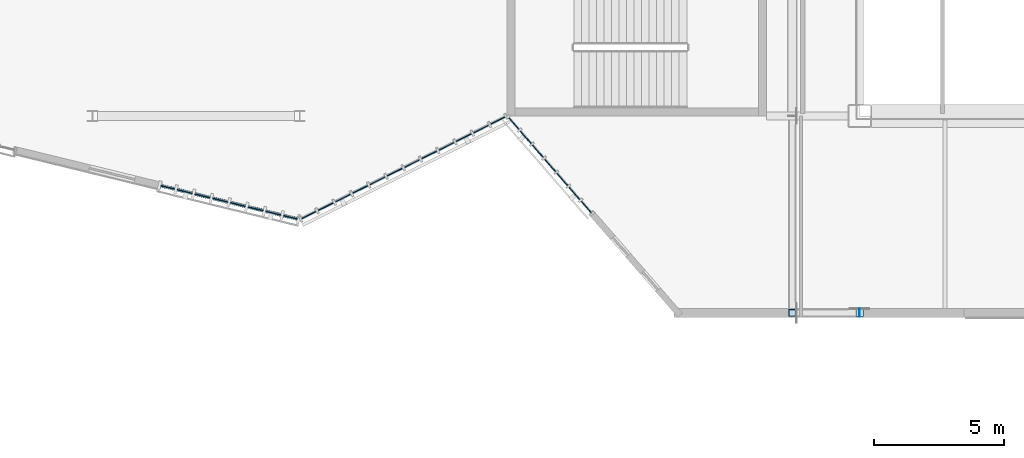
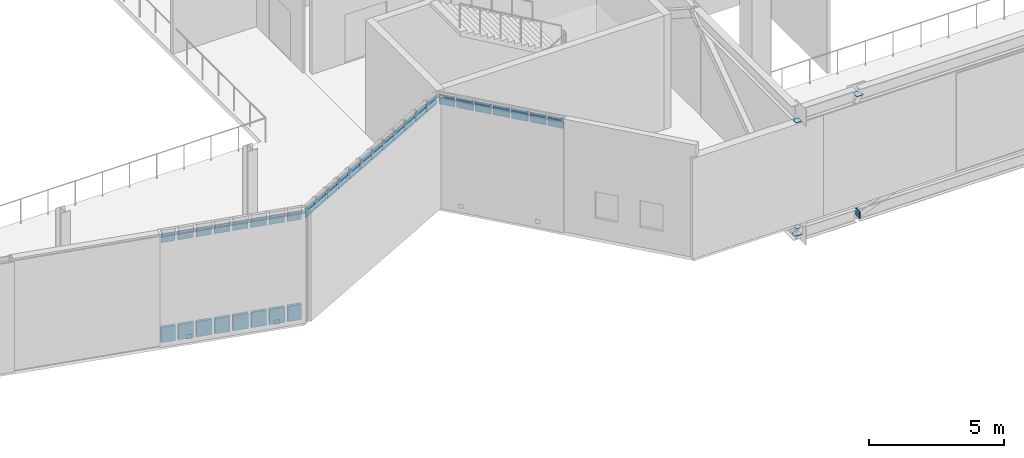
# One storey, part 90 of 127: 40 plates, 3 elements without a shape of their own.
"""IFC4 building model written with IfcOpenShell, lengths in metres."""

from ifc_helpers import new_model, si_unit, direction, frame, origin, origin_2d, place, context, subcontext, project, spatial, rectangle, extrude, material, layer, layer_set, type_object, element, aggregate, save


model = new_model("IFC4")

# Units and contexts
model_context = context("Model", 3, precision=1e-05, world=origin(), true_north=direction((0.0, 1.0)))
body_context = subcontext(model_context, "Body", "Model", "MODEL_VIEW")
ifc_project = project(units=[si_unit("LENGTHUNIT", "METRE"), si_unit("AREAUNIT", "SQUARE_METRE"), si_unit("VOLUMEUNIT", "CUBIC_METRE"), si_unit("PLANEANGLEUNIT", "RADIAN"), si_unit("MASSUNIT", "GRAM", prefix="KILO")], contexts=[model_context])

# Site, building, storey
site_placement = place(None, origin())
site = spatial("IfcSite", under=ifc_project, at=site_placement, CompositionType="ELEMENT")
building_placement = place(site_placement, origin())
building = spatial("IfcBuilding", under=site, at=building_placement, Name="Larkvane Passage Sports Hall", CompositionType="ELEMENT")
storey_placement = place(building_placement, frame((0.0, 0.0, 5.39990234375)))
storey = spatial("IfcBuildingStorey", under=building, at=storey_placement, Name="L01", CompositionType="ELEMENT", Elevation=5.39990234375)

# Curtain wall, plates
ifc_material_1 = material(Name="Thermally broken aluminium and low-E glazing", Category="aluminium")
curtain_wall_type_1 = type_object("IfcCurtainWallType", Name="CW-CLINIC", PredefinedType="USERDEFINED", material=ifc_material_1)
curtain_wall_1_placement = place(storey_placement, origin())
curtain_wall_1 = element("IfcCurtainWall", 1, at=curtain_wall_1_placement, inside=storey, type_object=curtain_wall_type_1, Name="Curtain wall CW5-L01-063", ObjectType="UNITISED CURTAIN WALL", PredefinedType="USERDEFINED")
ifc_material_2 = material(Name="Deep insulated facade spandrel panel")
ifc_layer_1 = layer(ifc_material_2, 0.125)
ifc_layer_set_1 = layer_set([ifc_layer_1], Name="Deep insulated facade spandrel panel")
plate_type_1 = type_object("IfcPlateType", Name="CWP-SPD-125", PredefinedType="CURTAIN_PANEL", material=ifc_layer_set_1)
plate_1_placement = place(storey_placement, frame((109.631591796875, 18.889892578125, 0.110107421875), z_axis=(0.0, 0.0, 1.0), x_axis=(-0.971522035097, 0.236949225196, 0.0)))
plate_1 = element("IfcPlate", 2, at=plate_1_placement, type_object=plate_type_1, Name="CW-05 panel 1.1", PredefinedType="CURTAIN_PANEL", context=body_context, shape_type="SweptSolid", body=[
    extrude(rectangle(XDim=0.538330078125, YDim=0.125, at=origin_2d()), origin(), (0.0, 0.0, 1.0), 0.68505859375),
])
plate_2_placement = place(storey_placement, frame((108.97509765625, 19.050048828125, 0.110107421875), z_axis=(0.0, 0.0, 1.0), x_axis=(-0.971522035097, 0.236949225196, 0.0)))
plate_2 = element("IfcPlate", 3, at=plate_2_placement, type_object=plate_type_1, Name="CW-05 panel 2.1", PredefinedType="CURTAIN_PANEL", context=body_context, shape_type="SweptSolid", body=[
    extrude(rectangle(XDim=0.59326171875, YDim=0.125, at=origin_2d()), origin(), (0.0, 0.0, 1.0), 0.68505859375),
])
plate_3_placement = place(storey_placement, frame((108.291748046875, 19.216552734375, 0.110107421875), z_axis=(0.0, 0.0, 1.0), x_axis=(-0.971522035097, 0.236949225196, 0.0)))
plate_3 = element("IfcPlate", 4, at=plate_3_placement, type_object=plate_type_1, Name="CW-05 panel 3.1", PredefinedType="CURTAIN_PANEL", context=body_context, shape_type="SweptSolid", body=[
    extrude(rectangle(XDim=0.59326171875, YDim=0.125, at=origin_2d()), origin(), (0.0, 0.0, 1.0), 0.68505859375),
])
plate_4_placement = place(storey_placement, frame((107.6083984375, 19.38330078125, 0.110107421875), z_axis=(0.0, 0.0, 1.0), x_axis=(-0.971522035097, 0.236949225196, 0.0)))
plate_4 = element("IfcPlate", 5, at=plate_4_placement, type_object=plate_type_1, Name="CW-05 panel 4.1", PredefinedType="CURTAIN_PANEL", context=body_context, shape_type="SweptSolid", body=[
    extrude(rectangle(XDim=0.59326171875, YDim=0.125, at=origin_2d()), origin(), (0.0, 0.0, 1.0), 0.68505859375),
])
plate_5_placement = place(storey_placement, frame((106.925048828125, 19.550048828125, 0.110107421875), z_axis=(0.0, 0.0, 1.0), x_axis=(-0.971522035097, 0.236949225196, 0.0)))
plate_5 = element("IfcPlate", 6, at=plate_5_placement, type_object=plate_type_1, Name="CW-05 panel 5.1", PredefinedType="CURTAIN_PANEL", context=body_context, shape_type="SweptSolid", body=[
    extrude(rectangle(XDim=0.59326171875, YDim=0.125, at=origin_2d()), origin(), (0.0, 0.0, 1.0), 0.68505859375),
])
plate_6_placement = place(storey_placement, frame((106.24169921875, 19.716552734375, 0.110107421875), z_axis=(0.0, 0.0, 1.0), x_axis=(-0.971522035097, 0.236949225196, 0.0)))
plate_6 = element("IfcPlate", 7, at=plate_6_placement, type_object=plate_type_1, Name="CW-05 panel 6.1", PredefinedType="CURTAIN_PANEL", context=body_context, shape_type="SweptSolid", body=[
    extrude(rectangle(XDim=0.59326171875, YDim=0.125, at=origin_2d()), origin(), (0.0, 0.0, 1.0), 0.68505859375),
])
plate_7_placement = place(storey_placement, frame((105.558349609375, 19.88330078125, 0.110107421875), z_axis=(0.0, 0.0, 1.0), x_axis=(-0.971522035097, 0.236949225196, 0.0)))
plate_7 = element("IfcPlate", 8, at=plate_7_placement, type_object=plate_type_1, Name="CW-05 panel 7.1", PredefinedType="CURTAIN_PANEL", context=body_context, shape_type="SweptSolid", body=[
    extrude(rectangle(XDim=0.59326171875, YDim=0.125, at=origin_2d()), origin(), (0.0, 0.0, 1.0), 0.68505859375),
])
plate_8_placement = place(storey_placement, frame((104.901611328125, 20.04345703125, 0.110107421875), z_axis=(0.0, 0.0, 1.0), x_axis=(-0.971522035097, 0.236949225196, 0.0)))
plate_8 = element("IfcPlate", 9, at=plate_8_placement, type_object=plate_type_1, Name="CW-05 panel 8.1", PredefinedType="CURTAIN_PANEL", context=body_context, shape_type="SweptSolid", body=[
    extrude(rectangle(XDim=0.538330078125, YDim=0.125, at=origin_2d()), origin(), (0.0, 0.0, 1.0), 0.68505859375),
])

curtain_wall_type_2 = type_object("IfcCurtainWallType", Name="CW-UNIT-VEIL", PredefinedType="USERDEFINED", material=ifc_material_1)
curtain_wall_2_placement = place(storey_placement, origin())
curtain_wall_2 = element("IfcCurtainWall", 10, at=curtain_wall_2_placement, inside=storey, type_object=curtain_wall_type_2, Name="Curtain wall CW5-L01-061", ObjectType="UNITISED CURTAIN WALL", PredefinedType="USERDEFINED")
ifc_material_3 = material(Name="Laminated acoustic low-E glazing", Category="glass")
ifc_layer_2 = layer(ifc_material_3, 0.031982421875)
ifc_layer_set_2 = layer_set([ifc_layer_2], Name="Laminated acoustic low-E glazing")
plate_type_2 = type_object("IfcPlateType", Name="CWP-VIS-32", PredefinedType="CURTAIN_PANEL", material=ifc_layer_set_2)
plate_9_placement = place(storey_placement, frame((121.053466796875, 19.283935546875, 4.5849609375), z_axis=(0.0, 0.0, 1.0), x_axis=(-0.655684862253, 0.755034675635, 0.0)))
plate_9 = element("IfcPlate", 11, at=plate_9_placement, type_object=plate_type_2, Name="CW-02 panel 1.3", PredefinedType="CURTAIN_PANEL", context=body_context, shape_type="SweptSolid", body=[
    extrude(rectangle(XDim=0.612060546875, YDim=0.031982421875, at=origin_2d()), origin(), (0.0, 0.0, 1.0), 0.445068359375),
])
plate_10_placement = place(storey_placement, frame((120.5947265625, 19.812255859375, 4.5849609375), z_axis=(0.0, 0.0, 1.0), x_axis=(-0.655684862253, 0.755034675635, 0.0)))
plate_10 = element("IfcPlate", 12, at=plate_10_placement, type_object=plate_type_2, Name="CW-02 panel 2.3", PredefinedType="CURTAIN_PANEL", context=body_context, shape_type="SweptSolid", body=[
    extrude(rectangle(XDim=0.64697265625, YDim=0.031982421875, at=origin_2d()), origin(), (0.0, 0.0, 1.0), 0.445068359375),
])
plate_11_placement = place(storey_placement, frame((120.12451171875, 20.353515625, 4.5849609375), z_axis=(0.0, 0.0, 1.0), x_axis=(-0.655684862253, 0.755034675635, 0.0)))
plate_11 = element("IfcPlate", 13, at=plate_11_placement, type_object=plate_type_2, Name="CW-02 panel 3.3", PredefinedType="CURTAIN_PANEL", context=body_context, shape_type="SweptSolid", body=[
    extrude(rectangle(XDim=0.64697265625, YDim=0.031982421875, at=origin_2d()), origin(), (0.0, 0.0, 1.0), 0.445068359375),
])
plate_12_placement = place(storey_placement, frame((119.654296875, 20.89501953125, 4.5849609375), z_axis=(0.0, 0.0, 1.0), x_axis=(-0.655684862253, 0.755034675635, 0.0)))
plate_12 = element("IfcPlate", 14, at=plate_12_placement, type_object=plate_type_2, Name="CW-02 panel 4.3", PredefinedType="CURTAIN_PANEL", context=body_context, shape_type="SweptSolid", body=[
    extrude(rectangle(XDim=0.64697265625, YDim=0.031982421875, at=origin_2d()), origin(), (0.0, 0.0, 1.0), 0.445068359375),
])
plate_13_placement = place(storey_placement, frame((119.18408203125, 21.4365234375, 4.5849609375), z_axis=(0.0, 0.0, 1.0), x_axis=(-0.655684862253, 0.755034675635, 0.0)))
plate_13 = element("IfcPlate", 15, at=plate_13_placement, type_object=plate_type_2, Name="CW-02 panel 5.3", PredefinedType="CURTAIN_PANEL", context=body_context, shape_type="SweptSolid", body=[
    extrude(rectangle(XDim=0.64697265625, YDim=0.031982421875, at=origin_2d()), origin(), (0.0, 0.0, 1.0), 0.445068359375),
])
plate_14_placement = place(storey_placement, frame((118.7138671875, 21.977783203125, 4.5849609375), z_axis=(0.0, 0.0, 1.0), x_axis=(-0.655684862253, 0.755034675635, 0.0)))
plate_14 = element("IfcPlate", 16, at=plate_14_placement, type_object=plate_type_2, Name="CW-02 panel 6.3", PredefinedType="CURTAIN_PANEL", context=body_context, shape_type="SweptSolid", body=[
    extrude(rectangle(XDim=0.64697265625, YDim=0.031982421875, at=origin_2d()), origin(), (0.0, 0.0, 1.0), 0.445068359375),
])
plate_15_placement = place(storey_placement, frame((118.25537109375, 22.506103515625, 4.5849609375), z_axis=(0.0, 0.0, 1.0), x_axis=(-0.655684862253, 0.755034675635, 0.0)))
plate_15 = element("IfcPlate", 17, at=plate_15_placement, type_object=plate_type_2, Name="CW-02 panel 7.3", PredefinedType="CURTAIN_PANEL", context=body_context, shape_type="SweptSolid", body=[
    extrude(rectangle(XDim=0.612060546875, YDim=0.031982421875, at=origin_2d()), origin(), (0.0, 0.0, 1.0), 0.445068359375),
])
aggregate(curtain_wall_2, [plate_9, plate_10, plate_11, plate_12, plate_13, plate_14, plate_15])

curtain_wall_type_3 = type_object("IfcCurtainWallType", Name="CW-STICK-FOYER", PredefinedType="USERDEFINED", material=ifc_material_1)
curtain_wall_3_placement = place(storey_placement, origin())
curtain_wall_3 = element("IfcCurtainWall", 18, at=curtain_wall_3_placement, inside=storey, type_object=curtain_wall_type_3, Name="Curtain wall CW5-L01-062", ObjectType="STICK CURTAIN WALL", PredefinedType="USERDEFINED")
ifc_material_4 = material(Name="High-impact court low-E glazing", Category="glass")
ifc_layer_3 = layer(ifc_material_4, 0.035888671875)
ifc_layer_set_3 = layer_set([ifc_layer_3], Name="High-impact court low-E glazing")
plate_type_3 = type_object("IfcPlateType", Name="CWP-VIS-36", PredefinedType="CURTAIN_PANEL", material=ifc_layer_set_3)
plate_16_placement = place(storey_placement, frame((117.64013671875, 22.6201171875, 4.59033203125), z_axis=(0.0, 0.0, 1.0), x_axis=(-0.894429429556, -0.44720911836, 0.0)))
plate_16 = element("IfcPlate", 19, at=plate_16_placement, type_object=plate_type_3, Name="CW-03 panel 1.3", PredefinedType="CURTAIN_PANEL", context=body_context, shape_type="SweptSolid", body=[
    extrude(rectangle(XDim=0.62451171875, YDim=0.035888671875, at=origin_2d()), origin(), (0.0, 0.0, 1.0), 0.429931640625),
])
plate_17_placement = place(storey_placement, frame((116.9921875, 22.296142578125, 4.59033203125), z_axis=(0.0, 0.0, 1.0), x_axis=(-0.894429429556, -0.44720911836, 0.0)))
plate_17 = element("IfcPlate", 20, at=plate_17_placement, type_object=plate_type_3, Name="CW-03 panel 2.3", PredefinedType="CURTAIN_PANEL", context=body_context, shape_type="SweptSolid", body=[
    extrude(rectangle(XDim=0.66455078125, YDim=0.035888671875, at=origin_2d()), origin(), (0.0, 0.0, 1.0), 0.429931640625),
])
plate_18_placement = place(storey_placement, frame((116.326171875, 21.963134765625, 4.59033203125), z_axis=(0.0, 0.0, 1.0), x_axis=(-0.894429429556, -0.44720911836, 0.0)))
plate_18 = element("IfcPlate", 21, at=plate_18_placement, type_object=plate_type_3, Name="CW-03 panel 3.3", PredefinedType="CURTAIN_PANEL", context=body_context, shape_type="SweptSolid", body=[
    extrude(rectangle(XDim=0.66455078125, YDim=0.035888671875, at=origin_2d()), origin(), (0.0, 0.0, 1.0), 0.429931640625),
])
plate_19_placement = place(storey_placement, frame((115.660400390625, 21.630126953125, 4.59033203125), z_axis=(0.0, 0.0, 1.0), x_axis=(-0.894429429556, -0.44720911836, 0.0)))
plate_19 = element("IfcPlate", 22, at=plate_19_placement, type_object=plate_type_3, Name="CW-03 panel 4.3", PredefinedType="CURTAIN_PANEL", context=body_context, shape_type="SweptSolid", body=[
    extrude(rectangle(XDim=0.66455078125, YDim=0.035888671875, at=origin_2d()), origin(), (0.0, 0.0, 1.0), 0.429931640625),
])
plate_20_placement = place(storey_placement, frame((114.994384765625, 21.297119140625, 4.59033203125), z_axis=(0.0, 0.0, 1.0), x_axis=(-0.894429429556, -0.44720911836, 0.0)))
plate_20 = element("IfcPlate", 23, at=plate_20_placement, type_object=plate_type_3, Name="CW-03 panel 5.3", PredefinedType="CURTAIN_PANEL", context=body_context, shape_type="SweptSolid", body=[
    extrude(rectangle(XDim=0.66455078125, YDim=0.035888671875, at=origin_2d()), origin(), (0.0, 0.0, 1.0), 0.429931640625),
])
plate_21_placement = place(storey_placement, frame((114.32861328125, 20.964111328125, 4.59033203125), z_axis=(0.0, 0.0, 1.0), x_axis=(-0.894429429556, -0.44720911836, 0.0)))
plate_21 = element("IfcPlate", 24, at=plate_21_placement, type_object=plate_type_3, Name="CW-03 panel 6.3", PredefinedType="CURTAIN_PANEL", context=body_context, shape_type="SweptSolid", body=[
    extrude(rectangle(XDim=0.66455078125, YDim=0.035888671875, at=origin_2d()), origin(), (0.0, 0.0, 1.0), 0.429931640625),
])
plate_22_placement = place(storey_placement, frame((113.66259765625, 20.63134765625, 4.59033203125), z_axis=(0.0, 0.0, 1.0), x_axis=(-0.894429429556, -0.44720911836, 0.0)))
plate_22 = element("IfcPlate", 25, at=plate_22_placement, type_object=plate_type_3, Name="CW-03 panel 7.3", PredefinedType="CURTAIN_PANEL", context=body_context, shape_type="SweptSolid", body=[
    extrude(rectangle(XDim=0.66455078125, YDim=0.035888671875, at=origin_2d()), origin(), (0.0, 0.0, 1.0), 0.429931640625),
])
plate_23_placement = place(storey_placement, frame((112.99658203125, 20.29833984375, 4.59033203125), z_axis=(0.0, 0.0, 1.0), x_axis=(-0.894429429556, -0.44720911836, 0.0)))
plate_23 = element("IfcPlate", 26, at=plate_23_placement, type_object=plate_type_3, Name="CW-03 panel 8.3", PredefinedType="CURTAIN_PANEL", context=body_context, shape_type="SweptSolid", body=[
    extrude(rectangle(XDim=0.66455078125, YDim=0.035888671875, at=origin_2d()), origin(), (0.0, 0.0, 1.0), 0.429931640625),
])
plate_24_placement = place(storey_placement, frame((112.330810546875, 19.96533203125, 4.59033203125), z_axis=(0.0, 0.0, 1.0), x_axis=(-0.894429429556, -0.44720911836, 0.0)))
plate_24 = element("IfcPlate", 27, at=plate_24_placement, type_object=plate_type_3, Name="CW-03 panel 9.3", PredefinedType="CURTAIN_PANEL", context=body_context, shape_type="SweptSolid", body=[
    extrude(rectangle(XDim=0.66455078125, YDim=0.035888671875, at=origin_2d()), origin(), (0.0, 0.0, 1.0), 0.429931640625),
])
plate_25_placement = place(storey_placement, frame((111.664794921875, 19.63232421875, 4.59033203125), z_axis=(0.0, 0.0, 1.0), x_axis=(-0.894429429556, -0.44720911836, 0.0)))
plate_25 = element("IfcPlate", 28, at=plate_25_placement, type_object=plate_type_3, Name="CW-03 panel 10.3", PredefinedType="CURTAIN_PANEL", context=body_context, shape_type="SweptSolid", body=[
    extrude(rectangle(XDim=0.66455078125, YDim=0.035888671875, at=origin_2d()), origin(), (0.0, 0.0, 1.0), 0.429931640625),
])
plate_26_placement = place(storey_placement, frame((110.998779296875, 19.29931640625, 4.59033203125), z_axis=(0.0, 0.0, 1.0), x_axis=(-0.894429429556, -0.44720911836, 0.0)))
plate_26 = element("IfcPlate", 29, at=plate_26_placement, type_object=plate_type_3, Name="CW-03 panel 11.3", PredefinedType="CURTAIN_PANEL", context=body_context, shape_type="SweptSolid", body=[
    extrude(rectangle(XDim=0.66455078125, YDim=0.035888671875, at=origin_2d()), origin(), (0.0, 0.0, 1.0), 0.429931640625),
])
plate_27_placement = place(storey_placement, frame((110.350830078125, 18.975341796875, 4.59033203125), z_axis=(0.0, 0.0, 1.0), x_axis=(-0.894429429556, -0.44720911836, 0.0)))
plate_27 = element("IfcPlate", 30, at=plate_27_placement, type_object=plate_type_3, Name="CW-03 panel 12.3", PredefinedType="CURTAIN_PANEL", context=body_context, shape_type="SweptSolid", body=[
    extrude(rectangle(XDim=0.62451171875, YDim=0.035888671875, at=origin_2d()), origin(), (0.0, 0.0, 1.0), 0.429931640625),
])
aggregate(curtain_wall_3, [plate_16, plate_17, plate_18, plate_19, plate_20, plate_21, plate_22, plate_23, plate_24, plate_25, plate_26, plate_27])

# Plate
ifc_material_5 = material(Name="Triple-laminated typhoon glazing", Category="glass")
ifc_layer_4 = layer(ifc_material_5, 0.0419921875)
ifc_layer_set_4 = layer_set([ifc_layer_4], Name="Triple-laminated typhoon glazing")
plate_type_4 = type_object("IfcPlateType", Name="CWP-VIS-42", PredefinedType="CURTAIN_PANEL", material=ifc_layer_set_4)
plate_28_placement = place(storey_placement, frame((109.631591796875, 18.889892578125, 4.60498046875), z_axis=(0.0, 0.0, 1.0), x_axis=(-0.971522035097, 0.236949225196, 0.0)))
plate_28 = element("IfcPlate", 31, at=plate_28_placement, type_object=plate_type_4, Name="CW-05 panel 1.3", PredefinedType="CURTAIN_PANEL", context=body_context, shape_type="SweptSolid", body=[
    extrude(rectangle(XDim=0.538330078125, YDim=0.0419921875, at=origin_2d()), origin(), (0.0, 0.0, 1.0), 0.385009765625),
])

plate_29_placement = place(storey_placement, frame((108.97509765625, 19.050048828125, 4.60498046875), z_axis=(0.0, 0.0, 1.0), x_axis=(-0.971522035097, 0.236949225196, 0.0)))
plate_29 = element("IfcPlate", 32, at=plate_29_placement, type_object=plate_type_4, Name="CW-05 panel 2.3", PredefinedType="CURTAIN_PANEL", context=body_context, shape_type="SweptSolid", body=[
    extrude(rectangle(XDim=0.59326171875, YDim=0.0419921875, at=origin_2d()), origin(), (0.0, 0.0, 1.0), 0.385009765625),
])

plate_30_placement = place(storey_placement, frame((108.291748046875, 19.216552734375, 4.60498046875), z_axis=(0.0, 0.0, 1.0), x_axis=(-0.971522035097, 0.236949225196, 0.0)))
plate_30 = element("IfcPlate", 33, at=plate_30_placement, type_object=plate_type_4, Name="CW-05 panel 3.3", PredefinedType="CURTAIN_PANEL", context=body_context, shape_type="SweptSolid", body=[
    extrude(rectangle(XDim=0.59326171875, YDim=0.0419921875, at=origin_2d()), origin(), (0.0, 0.0, 1.0), 0.385009765625),
])

plate_31_placement = place(storey_placement, frame((107.6083984375, 19.38330078125, 4.60498046875), z_axis=(0.0, 0.0, 1.0), x_axis=(-0.971522035097, 0.236949225196, 0.0)))
plate_31 = element("IfcPlate", 34, at=plate_31_placement, type_object=plate_type_4, Name="CW-05 panel 4.3", PredefinedType="CURTAIN_PANEL", context=body_context, shape_type="SweptSolid", body=[
    extrude(rectangle(XDim=0.59326171875, YDim=0.0419921875, at=origin_2d()), origin(), (0.0, 0.0, 1.0), 0.385009765625),
])

plate_32_placement = place(storey_placement, frame((106.925048828125, 19.550048828125, 4.60498046875), z_axis=(0.0, 0.0, 1.0), x_axis=(-0.971522035097, 0.236949225196, 0.0)))
plate_32 = element("IfcPlate", 35, at=plate_32_placement, type_object=plate_type_4, Name="CW-05 panel 5.3", PredefinedType="CURTAIN_PANEL", context=body_context, shape_type="SweptSolid", body=[
    extrude(rectangle(XDim=0.59326171875, YDim=0.0419921875, at=origin_2d()), origin(), (0.0, 0.0, 1.0), 0.385009765625),
])

plate_33_placement = place(storey_placement, frame((106.24169921875, 19.716552734375, 4.60498046875), z_axis=(0.0, 0.0, 1.0), x_axis=(-0.971522035097, 0.236949225196, 0.0)))
plate_33 = element("IfcPlate", 36, at=plate_33_placement, type_object=plate_type_4, Name="CW-05 panel 6.3", PredefinedType="CURTAIN_PANEL", context=body_context, shape_type="SweptSolid", body=[
    extrude(rectangle(XDim=0.59326171875, YDim=0.0419921875, at=origin_2d()), origin(), (0.0, 0.0, 1.0), 0.385009765625),
])

plate_34_placement = place(storey_placement, frame((105.558349609375, 19.88330078125, 4.60498046875), z_axis=(0.0, 0.0, 1.0), x_axis=(-0.971522035097, 0.236949225196, 0.0)))
plate_34 = element("IfcPlate", 37, at=plate_34_placement, type_object=plate_type_4, Name="CW-05 panel 7.3", PredefinedType="CURTAIN_PANEL", context=body_context, shape_type="SweptSolid", body=[
    extrude(rectangle(XDim=0.59326171875, YDim=0.0419921875, at=origin_2d()), origin(), (0.0, 0.0, 1.0), 0.385009765625),
])

plate_35_placement = place(storey_placement, frame((104.901611328125, 20.04345703125, 4.60498046875), z_axis=(0.0, 0.0, 1.0), x_axis=(-0.971522035097, 0.236949225196, 0.0)))
plate_35 = element("IfcPlate", 38, at=plate_35_placement, type_object=plate_type_4, Name="CW-05 panel 8.3", PredefinedType="CURTAIN_PANEL", context=body_context, shape_type="SweptSolid", body=[
    extrude(rectangle(XDim=0.538330078125, YDim=0.0419921875, at=origin_2d()), origin(), (0.0, 0.0, 1.0), 0.385009765625),
])

aggregate(curtain_wall_1, [plate_1, plate_28, plate_2, plate_29, plate_3, plate_30, plate_4, plate_31, plate_5, plate_32, plate_6, plate_33, plate_7, plate_34, plate_8, plate_35])

# Plates
ifc_material_6 = material(Name="Steel S355JR", Category="steel")
ifc_layer_5 = layer(ifc_material_6, 0.011962890625)
ifc_layer_set_5 = layer_set([ifc_layer_5], Name="Steel S355JR")
plate_type_5 = type_object("IfcPlateType", Name="PLT-CAP-12", PredefinedType="SHEET", material=ifc_layer_set_5)
plate_36_placement = place(storey_placement, frame((131.594482421875, 15.199951171875, -0.68994140625), z_axis=(0.0, 0.0, 1.0), x_axis=(0.0, 1.0, 0.0)))
element("IfcPlate", 39, at=plate_36_placement, inside=storey, type_object=plate_type_5, Name="Hollow section sealed end cap plate 0158", PredefinedType="SHEET", context=body_context, shape_type="SweptSolid", body=[
    extrude(rectangle(XDim=0.31005859375, YDim=0.028076171875, at=origin_2d()), origin(), (0.0, 0.0, 1.0), 0.327880859375),
])
for number, where, z_axis, x_axis, name in (
    (40, (128.997314453125, 15.199951171875, -0.53515625), (0.0, 0.0, 1.0), (1.0, 0.0, 0.0), "Hollow section sealed end cap plate 0197"),
    (41, (131.6025390625, 15.199951171875, 4.85546875), (0.0, 0.0, 1.0), (1.0, 0.0, 0.0), "Hollow section sealed end cap plate 0198"),
):
    element("IfcPlate", number, at=place(storey_placement, frame(where, z_axis=z_axis, x_axis=x_axis)), inside=storey, type_object=plate_type_5, Name=name, PredefinedType="SHEET", context=body_context, shape_type="SweptSolid", body=[
        extrude(rectangle(XDim=0.2900390625, YDim=0.2900390625, at=origin_2d()), origin(), (0.0, 0.0, 1.0), 0.011962890625),
    ])
for number, where, z_axis, x_axis, name in (
    (42, (129.0, 15.199951171875, -0.24169921875), (0.0, 0.0, 1.0), (1.0, 0.0, 0.0), "Hollow section sealed end cap plate 0202"),
    (43, (129.0, 15.199951171875, 4.56201171875), (0.0, 0.0, 1.0), (1.0, 0.0, 0.0), "Hollow section sealed end cap plate 0203"),
):
    element("IfcPlate", number, at=place(storey_placement, frame(where, z_axis=z_axis, x_axis=x_axis)), inside=storey, type_object=plate_type_5, Name=name, PredefinedType="SHEET", context=body_context, shape_type="SweptSolid", body=[
        extrude(rectangle(XDim=0.239990234375, YDim=0.239990234375, at=origin_2d()), origin(), (0.0, 0.0, 1.0), 0.011962890625),
    ])

save(model, "model.ifc")
